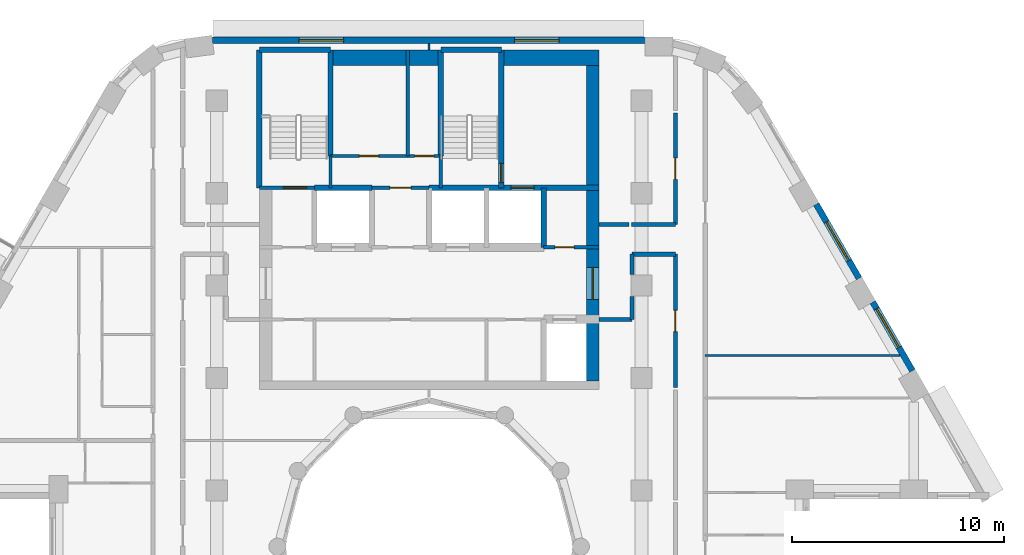
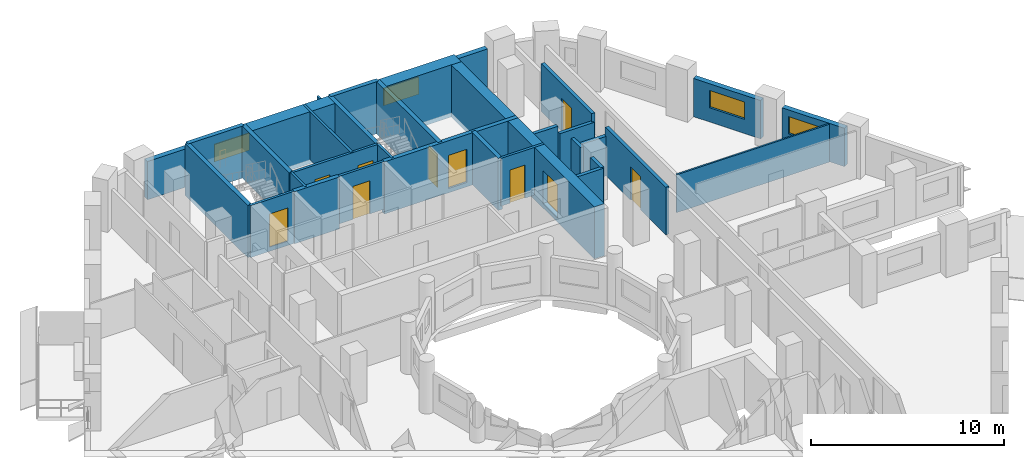
# One storey, part 8 of 13: 32 walls, 10 doors, 4 windows, 14 openings.
"""IFC4 building model written with IfcOpenShell, lengths in metres."""

from ifc_helpers import new_model, si_unit, direction, frame, frame_2d, origin, place, context, subcontext, project, spatial, rectangle, extrude, material, layer, layer_set, type_object, element, fill, save


model = new_model("IFC4")

# Units and contexts
model_context = context("Model", 3, precision=1e-05, world=origin(), true_north=direction((0.0, 1.0)))
body_context = subcontext(model_context, "Body", "Model", "MODEL_VIEW")
ifc_project = project(units=[si_unit("LENGTHUNIT", "METRE"), si_unit("AREAUNIT", "SQUARE_METRE"), si_unit("VOLUMEUNIT", "CUBIC_METRE"), si_unit("PLANEANGLEUNIT", "RADIAN"), si_unit("MASSUNIT", "GRAM", prefix="KILO")], contexts=[model_context])

# Site, building, storey
site_placement = place(None, origin())
site = spatial("IfcSite", under=ifc_project, at=site_placement, CompositionType="ELEMENT")
building_placement = place(site_placement, origin())
building = spatial("IfcBuilding", under=site, at=building_placement, Name="Nakaniwa Court", CompositionType="ELEMENT")
storey_placement = place(building_placement, frame((0.0, 0.0, 153.60009765625)))
storey = spatial("IfcBuildingStorey", under=building, at=storey_placement, Name="L40", CompositionType="ELEMENT", Elevation=153.60009765625)

# Wall, opening, door
ifc_material_1 = material(Name="Acoustic double stud partition")
ifc_layer_1 = layer(ifc_material_1, 0.199951171875)
ifc_layer_set_1 = layer_set([ifc_layer_1], Name="Acoustic double stud partition")
wall_type_1 = type_object("IfcWallType", Name="Acoustic double stud partition 200", PredefinedType="PARTITIONING", material=ifc_layer_set_1)
wall_1_placement = place(storey_placement, frame((91.60009765625, 87.4873046875, 0.0), z_axis=(0.0, 0.0, 1.0), x_axis=(0.0, 1.0, 0.0)))
wall_1 = element("IfcWall", 1, at=wall_1_placement, inside=storey, type_object=wall_type_1, Name="Partition PW-073", PredefinedType="PARTITIONING", context=body_context, shape_type="SweptSolid", body=[
    extrude(rectangle(XDim=6.28759765625, YDim=0.199951171875, at=frame_2d((3.143798828125, 0.0))), origin(), (0.0, 0.0, 1.0), 3.02490234375),
])
opening_1_placement = place(wall_1_placement, frame((2.64501953125, 0.0, 0.0)))
opening_1 = element("IfcOpeningElement", 2, at=opening_1_placement, cuts=wall_1, Name="Opening D-02-11", PredefinedType="OPENING", context=body_context, shape_type="SweptSolid", body=[
    extrude(rectangle(XDim=1.0, YDim=2.10009765625, at=frame_2d((0.5, 1.050048828125))), frame((0.0, 0.10986328125, 0.0), z_axis=(0.0, -1.0, 0.0), x_axis=(1.0, 0.0, 0.0)), (0.0, 0.0, 1.0), 0.219970703125),
])
ifc_material_2 = material(Name="Solid core timber door set, black veneer", Category="wood")
door_type_1 = type_object("IfcDoorType", Name="Internal door 1000", OperationType="NOTDEFINED", PredefinedType="DOOR", material=ifc_material_2)
door_1_placement = place(opening_1_placement, origin())
door_1 = element("IfcDoor", 3, at=door_1_placement, inside=storey, type_object=door_type_1, Name="Door D-02-11 L40-046", OperationType="SINGLE_SWING_LEFT", OverallHeight=2.10009765625, OverallWidth=1.0, PredefinedType="DOOR", context=body_context, shape_type="SweptSolid", body=[
    extrude(rectangle(XDim=1.0, YDim=2.10009765625, at=frame_2d((0.5, 1.050048828125))), frame((0.0, 0.02490234375, 0.0), z_axis=(0.0, -1.0, 0.0), x_axis=(1.0, 0.0, 0.0)), (0.0, 0.0, 1.0), 0.050048828125),
])
fill(opening_1, door_1)

wall_2_placement = place(storey_placement, frame((91.60009765625, 95.175048828125, 0.0), z_axis=(0.0, 0.0, 1.0), x_axis=(0.0, 1.0, 0.0)))
wall_2 = element("IfcWall", 4, at=wall_2_placement, inside=storey, type_object=wall_type_1, Name="Partition PW-074", PredefinedType="PARTITIONING", context=body_context, shape_type="SweptSolid", body=[
    extrude(rectangle(XDim=5.247802734375, YDim=0.199951171875, at=frame_2d((2.6240234375, 0.0))), origin(), (0.0, 0.0, 1.0), 3.02490234375),
])
opening_2_placement = place(wall_2_placement, frame((2.123046875, 0.0, 0.0)))
opening_2 = element("IfcOpeningElement", 5, at=opening_2_placement, cuts=wall_2, Name="Opening D-02-12", PredefinedType="OPENING", context=body_context, shape_type="SweptSolid", body=[
    extrude(rectangle(XDim=1.0, YDim=2.10009765625, at=frame_2d((0.5, 1.050048828125))), frame((0.0, 0.10986328125, 0.0), z_axis=(0.0, -1.0, 0.0), x_axis=(1.0, 0.0, 0.0)), (0.0, 0.0, 1.0), 0.219970703125),
])
door_2_placement = place(opening_2_placement, origin())
door_2 = element("IfcDoor", 6, at=door_2_placement, inside=storey, type_object=door_type_1, Name="Door D-02-12 L40-047", OperationType="SINGLE_SWING_RIGHT", OverallHeight=2.10009765625, OverallWidth=1.0, PredefinedType="DOOR", context=body_context, shape_type="SweptSolid", body=[
    extrude(rectangle(XDim=1.0, YDim=2.10009765625, at=frame_2d((0.5, 1.050048828125))), frame((0.0, 0.02490234375, 0.0), z_axis=(0.0, -1.0, 0.0), x_axis=(1.0, 0.0, 0.0)), (0.0, 0.0, 1.0), 0.050048828125),
])
fill(opening_2, door_2)

# Walls
wall_3_placement = place(storey_placement, frame((89.550048828125, 90.699951171875, 0.0), z_axis=(0.0, 0.0, 1.0), x_axis=(0.0, 1.0, 0.0)))
element("IfcWall", 7, at=wall_3_placement, inside=storey, type_object=wall_type_1, Name="Partition PW-085", PredefinedType="PARTITIONING", context=body_context, shape_type="SweptSolid", body=[
    extrude(rectangle(XDim=1.082763671875, YDim=0.199951171875, at=frame_2d((0.54150390625, 0.0))), origin(), (0.0, 0.0, 1.0), 3.02490234375),
])
wall_4_placement = place(storey_placement, frame((89.550048828125, 92.817138671875, 0.0), z_axis=(0.0, 0.0, 1.0), x_axis=(0.0, 1.0, 0.0)))
element("IfcWall", 8, at=wall_4_placement, inside=storey, type_object=wall_type_1, Name="Partition PW-086", PredefinedType="PARTITIONING", context=body_context, shape_type="SweptSolid", body=[
    extrude(rectangle(XDim=0.957763671875, YDim=0.199951171875, at=frame_2d((0.47900390625, 0.0))), origin(), (0.0, 0.0, 1.0), 3.02490234375),
])
wall_5_placement = place(storey_placement, frame((89.550048828125, 93.77490234375, 0.0), z_axis=(0.0, 0.0, 1.0), x_axis=(1.0, 0.0, 0.0)))
element("IfcWall", 9, at=wall_5_placement, inside=storey, type_object=wall_type_1, Name="Partition PW-090", PredefinedType="PARTITIONING", context=body_context, shape_type="SweptSolid", body=[
    extrude(rectangle(XDim=2.050048828125, YDim=0.199951171875, at=frame_2d((1.02490234375, 0.0))), origin(), (0.0, 0.0, 1.0), 2.5048828125),
])
wall_6_placement = place(storey_placement, frame((88.0, 90.699951171875, 0.0), z_axis=(0.0, 0.0, 1.0), x_axis=(1.0, 0.0, 0.0)))
element("IfcWall", 10, at=wall_6_placement, inside=storey, type_object=wall_type_1, Name="Partition PW-092", PredefinedType="PARTITIONING", context=body_context, shape_type="SweptSolid", body=[
    extrude(rectangle(XDim=1.550048828125, YDim=0.199951171875, at=frame_2d((0.77490234375, 0.0))), origin(), (0.0, 0.0, 1.0), 3.02490234375),
])
wall_7_placement = place(storey_placement, frame((88.0, 95.175048828125, 0.0), z_axis=(0.0, 0.0, 1.0), x_axis=(1.0, 0.0, 0.0)))
element("IfcWall", 11, at=wall_7_placement, inside=storey, type_object=wall_type_1, Name="Partition PW-095", PredefinedType="PARTITIONING", context=body_context, shape_type="SweptSolid", body=[
    extrude(rectangle(XDim=1.4228515625, YDim=0.199951171875, at=frame_2d((0.71142578125, 0.0))), origin(), (0.0, 0.0, 1.0), 3.02490234375),
])
wall_8_placement = place(storey_placement, frame((89.537109375, 95.175048828125, 0.0), z_axis=(0.0, 0.0, 1.0), x_axis=(1.0, 0.0, 0.0)))
element("IfcWall", 12, at=wall_8_placement, inside=storey, type_object=wall_type_1, Name="Partition PW-096", PredefinedType="PARTITIONING", context=body_context, shape_type="SweptSolid", body=[
    extrude(rectangle(XDim=2.06298828125, YDim=0.199951171875, at=frame_2d((1.031494140625, 0.0))), origin(), (0.0, 0.0, 1.0), 2.5048828125),
])

# Wall, opening, window
ifc_material_3 = material(Name="Charcoal ceramic cladding")
ifc_layer_2 = layer(ifc_material_3, 0.02, Name="Ceramic cladding")
ifc_material_4 = material(Name="Ventilated air cavity")
ifc_layer_3 = layer(ifc_material_4, 0.04, ventilated=True, Name="Ventilated cavity")
ifc_material_5 = material(Name="Mineral wool insulation")
ifc_layer_4 = layer(ifc_material_5, 0.1, Name="Insulation")
ifc_material_6 = material(Name="Cement bonded sheathing board")
ifc_layer_5 = layer(ifc_material_6, 0.012, Name="Sheathing")
ifc_material_7 = material(Name="Cold-formed galvanised stud frame with mineral wool infill")
ifc_layer_6 = layer(ifc_material_7, 0.1, Name="Stud frame")
ifc_material_8 = material(Name="Fire-rated gypsum plasterboard lining")
ifc_layer_7 = layer(ifc_material_8, 0.028, Name="Lining")
ifc_layer_set_2 = layer_set([ifc_layer_2, ifc_layer_3, ifc_layer_4, ifc_layer_5, ifc_layer_6, ifc_layer_7], Name="Charcoal ceramic faced external wall system")
wall_type_2 = type_object("IfcWallType", Name="Black ceramic faced external wall 300", PredefinedType="SOLIDWALL", material=ifc_layer_set_2)
wall_9_placement = place(storey_placement, frame((102.759521484375, 88.279052734375, 0.0), z_axis=(0.0, 0.0, 1.0), x_axis=(-0.499933594891, 0.866063739398, 0.0)))
wall_9 = element("IfcWall", 13, at=wall_9_placement, inside=storey, type_object=wall_type_2, Name="L40 external wall 03", PredefinedType="SOLIDWALL", context=body_context, shape_type="SweptSolid", body=[
    extrude(rectangle(XDim=3.73681640625, YDim=0.300048828125, at=frame_2d((1.868408203125, 0.0))), origin(), (0.0, 0.0, 1.0), 2.4248046875),
])
opening_3_placement = place(wall_9_placement, frame((1.271728515625, 0.0, 0.89990234375)))
opening_3 = element("IfcOpeningElement", 14, at=opening_3_placement, cuts=wall_9, Name="Opening W7.04", PredefinedType="OPENING", context=body_context, shape_type="SweptSolid", body=[
    extrude(rectangle(XDim=2.10009765625, YDim=1.10009765625, at=frame_2d((1.050048828125, 0.550048828125))), frame((0.0, 0.159912109375, 0.0), z_axis=(0.0, -1.0, 0.0), x_axis=(1.0, 0.0, 0.0)), (0.0, 0.0, 1.0), 0.320068359375),
])
ifc_material_9 = material(Name="Black anodised aluminium frame with dark low-E laminated double glazing", Category="aluminium")
window_type = type_object("IfcWindowType", Name="Dark glass window 2100x1100 sill 900", PartitioningType="SINGLE_PANEL", PredefinedType="WINDOW", material=ifc_material_9)
window_1_placement = place(opening_3_placement, origin())
window_1 = element("IfcWindow", 15, at=window_1_placement, inside=storey, type_object=window_type, Name="L40 habitable room window 03-1", OverallHeight=1.10009765625, OverallWidth=2.10009765625, PartitioningType="SINGLE_PANEL", PredefinedType="WINDOW", context=body_context, shape_type="SweptSolid", body=[
    extrude(rectangle(XDim=2.10009765625, YDim=1.10009765625, at=frame_2d((1.050048828125, 0.550048828125))), frame((0.0, 0.030029296875, 0.0), z_axis=(0.0, -1.0, 0.0), x_axis=(1.0, 0.0, 0.0)), (0.0, 0.0, 1.0), 0.06005859375),
])
fill(opening_3, window_1)

wall_10_placement = place(storey_placement, frame((100.245361328125, 92.63427734375, 0.0), z_axis=(0.0, 0.0, 1.0), x_axis=(-0.500031546601, 0.86600718958, 0.0)))
wall_10 = element("IfcWall", 16, at=wall_10_placement, inside=storey, type_object=wall_type_2, Name="L40 external wall 04", PredefinedType="SOLIDWALL", context=body_context, shape_type="SweptSolid", body=[
    extrude(rectangle(XDim=4.033935546875, YDim=0.300048828125, at=frame_2d((2.01708984375, 0.0))), origin(), (0.0, 0.0, 1.0), 2.4248046875),
])
opening_4_placement = place(wall_10_placement, frame((0.966796875, 0.0, 0.89990234375)))
opening_4 = element("IfcOpeningElement", 17, at=opening_4_placement, cuts=wall_10, Name="Opening W7.05", PredefinedType="OPENING", context=body_context, shape_type="SweptSolid", body=[
    extrude(rectangle(XDim=2.10009765625, YDim=1.10009765625, at=frame_2d((1.050048828125, 0.550048828125))), frame((0.0, 0.159912109375, 0.0), z_axis=(0.0, -1.0, 0.0), x_axis=(1.0, 0.0, 0.0)), (0.0, 0.0, 1.0), 0.320068359375),
])
window_2_placement = place(opening_4_placement, origin())
window_2 = element("IfcWindow", 18, at=window_2_placement, inside=storey, type_object=window_type, Name="L40 habitable room window 04-0", OverallHeight=1.10009765625, OverallWidth=2.10009765625, PartitioningType="SINGLE_PANEL", PredefinedType="WINDOW", context=body_context, shape_type="SweptSolid", body=[
    extrude(rectangle(XDim=2.10009765625, YDim=1.10009765625, at=frame_2d((1.050048828125, 0.550048828125))), frame((0.0, 0.030029296875, 0.0), z_axis=(0.0, -1.0, 0.0), x_axis=(1.0, 0.0, 0.0)), (0.0, 0.0, 1.0), 0.06005859375),
])
fill(opening_4, window_2)

# Wall, openings, windows
wall_11_placement = place(storey_placement, frame((90.1787109375, 103.85009765625, 0.0), z_axis=(0.0, 0.0, 1.0), x_axis=(-1.0, 0.0, 0.0)))
wall_11 = element("IfcWall", 19, at=wall_11_placement, inside=storey, type_object=wall_type_2, Name="L40 external wall 08", PredefinedType="SOLIDWALL", context=body_context, shape_type="SweptSolid", body=[
    extrude(rectangle(XDim=20.391357421875, YDim=0.300048828125, at=frame_2d((10.19580078125, 0.0))), origin(), (0.0, 0.0, 1.0), 2.4248046875),
])
opening_5_placement = place(wall_11_placement, frame((4.05126953125, 0.0, 0.89990234375)))
opening_5 = element("IfcOpeningElement", 20, at=opening_5_placement, cuts=wall_11, Name="Opening W7.08", PredefinedType="OPENING", context=body_context, shape_type="SweptSolid", body=[
    extrude(rectangle(XDim=2.10009765625, YDim=1.10009765625, at=frame_2d((1.050048828125, 0.550048828125))), frame((0.0, 0.159912109375, 0.0), z_axis=(0.0, -1.0, 0.0), x_axis=(1.0, 0.0, 0.0)), (0.0, 0.0, 1.0), 0.320068359375),
])
opening_6_placement = place(wall_11_placement, frame((14.211669921875, 0.0, 0.89990234375)))
opening_6 = element("IfcOpeningElement", 21, at=opening_6_placement, cuts=wall_11, Name="Opening W7.09", PredefinedType="OPENING", context=body_context, shape_type="SweptSolid", body=[
    extrude(rectangle(XDim=2.10009765625, YDim=1.10009765625, at=frame_2d((1.050048828125, 0.550048828125))), frame((0.0, 0.159912109375, 0.0), z_axis=(0.0, -1.0, 0.0), x_axis=(1.0, 0.0, 0.0)), (0.0, 0.0, 1.0), 0.320068359375),
])
window_3_placement = place(opening_5_placement, origin())
window_3 = element("IfcWindow", 22, at=window_3_placement, inside=storey, type_object=window_type, Name="L40 habitable room window 08-0", OverallHeight=1.10009765625, OverallWidth=2.10009765625, PartitioningType="SINGLE_PANEL", PredefinedType="WINDOW", context=body_context, shape_type="SweptSolid", body=[
    extrude(rectangle(XDim=2.10009765625, YDim=1.10009765625, at=frame_2d((1.050048828125, 0.550048828125))), frame((0.0, 0.030029296875, 0.0), z_axis=(0.0, -1.0, 0.0), x_axis=(1.0, 0.0, 0.0)), (0.0, 0.0, 1.0), 0.06005859375),
])
fill(opening_5, window_3)
window_4_placement = place(opening_6_placement, origin())
window_4 = element("IfcWindow", 23, at=window_4_placement, inside=storey, type_object=window_type, Name="L40 habitable room window 08-1", OverallHeight=1.10009765625, OverallWidth=2.10009765625, PartitioningType="SINGLE_PANEL", PredefinedType="WINDOW", context=body_context, shape_type="SweptSolid", body=[
    extrude(rectangle(XDim=2.10009765625, YDim=1.10009765625, at=frame_2d((1.050048828125, 0.550048828125))), frame((0.0, 0.030029296875, 0.0), z_axis=(0.0, -1.0, 0.0), x_axis=(1.0, 0.0, 0.0)), (0.0, 0.0, 1.0), 0.06005859375),
])
fill(opening_6, window_4)

# Wall, opening, door
ifc_material_10 = material(Name="Blockwork partition", Category="masonry")
ifc_layer_8 = layer(ifc_material_10, 0.14990234375)
ifc_layer_set_3 = layer_set([ifc_layer_8], Name="Blockwork partition")
wall_type_3 = type_object("IfcWallType", Name="Blockwork partition 150", PredefinedType="PARTITIONING", material=ifc_layer_set_3)
wall_12_placement = place(storey_placement, frame((85.39697265625, 94.10009765625, 0.0), z_axis=(0.0, 0.0, 1.0), x_axis=(1.0, 0.0, 0.0)))
wall_12 = element("IfcWall", 24, at=wall_12_placement, inside=storey, type_object=wall_type_3, Name="Partition PW-011", PredefinedType="PARTITIONING", context=body_context, shape_type="SweptSolid", body=[
    extrude(rectangle(XDim=2.60302734375, YDim=0.14990234375, at=frame_2d((1.301513671875, 0.0))), origin(), (0.0, 0.0, 1.0), 3.02490234375),
])
opening_7_placement = place(wall_12_placement, frame((0.528076171875, 0.0, 0.0)))
opening_7 = element("IfcOpeningElement", 25, at=opening_7_placement, cuts=wall_12, Name="Opening D-05-04", PredefinedType="OPENING", context=body_context, shape_type="SweptSolid", body=[
    extrude(rectangle(XDim=0.89990234375, YDim=2.10009765625, at=frame_2d((0.449951171875, 1.050048828125))), frame((0.0, 0.0849609375, 0.0), z_axis=(0.0, -1.0, 0.0), x_axis=(1.0, 0.0, 0.0)), (0.0, 0.0, 1.0), 0.169921875),
])
ifc_material_11 = material(Name="Fire rated steel door set", Category="steel")
door_type_2 = type_object("IfcDoorType", Name="Service room door 900", OperationType="NOTDEFINED", PredefinedType="DOOR", material=ifc_material_11)
door_3_placement = place(opening_7_placement, origin())
door_3 = element("IfcDoor", 26, at=door_3_placement, inside=storey, type_object=door_type_2, Name="Door D-05-04 L40-006", OperationType="SINGLE_SWING_LEFT", OverallHeight=2.10009765625, OverallWidth=0.89990234375, PredefinedType="DOOR", context=body_context, shape_type="SweptSolid", body=[
    extrude(rectangle(XDim=0.89990234375, YDim=2.10009765625, at=frame_2d((0.449951171875, 1.050048828125))), frame((0.0, 0.02490234375, 0.0), z_axis=(0.0, -1.0, 0.0), x_axis=(1.0, 0.0, 0.0)), (0.0, 0.0, 1.0), 0.050048828125),
])
fill(opening_7, door_3)

wall_13_placement = place(storey_placement, frame((77.300048828125, 96.89990234375, 0.0), z_axis=(0.0, 0.0, 1.0), x_axis=(1.0, 0.0, 0.0)))
wall_13 = element("IfcWall", 27, at=wall_13_placement, inside=storey, type_object=wall_type_3, Name="Partition PW-020", PredefinedType="PARTITIONING", context=body_context, shape_type="SweptSolid", body=[
    extrude(rectangle(XDim=2.699951171875, YDim=0.14990234375, at=frame_2d((1.35009765625, 0.0))), origin(), (0.0, 0.0, 1.0), 3.02490234375),
])
opening_8_placement = place(wall_13_placement, frame((0.85009765625, 0.0, 0.0)))
opening_8 = element("IfcOpeningElement", 28, at=opening_8_placement, cuts=wall_13, Name="Opening D-23-01", PredefinedType="OPENING", context=body_context, shape_type="SweptSolid", body=[
    extrude(rectangle(XDim=1.0, YDim=2.10009765625, at=frame_2d((0.5, 1.050048828125))), frame((0.0, 0.0849609375, 0.0), z_axis=(0.0, -1.0, 0.0), x_axis=(1.0, 0.0, 0.0)), (0.0, 0.0, 1.0), 0.169921875),
])
door_type_3 = type_object("IfcDoorType", Name="Service room door 1000", OperationType="NOTDEFINED", PredefinedType="DOOR", material=ifc_material_11)
door_4_placement = place(opening_8_placement, origin())
door_4 = element("IfcDoor", 29, at=door_4_placement, inside=storey, type_object=door_type_3, Name="Door D-23-01 L40-007", OperationType="SINGLE_SWING_RIGHT", OverallHeight=2.10009765625, OverallWidth=1.0, PredefinedType="DOOR", context=body_context, shape_type="SweptSolid", body=[
    extrude(rectangle(XDim=1.0, YDim=2.10009765625, at=frame_2d((0.5, 1.050048828125))), frame((0.0, 0.02490234375, 0.0), z_axis=(0.0, -1.0, 0.0), x_axis=(1.0, 0.0, 0.0)), (0.0, 0.0, 1.0), 0.050048828125),
])
fill(opening_8, door_4)

# Wall, openings, doors
wall_14_placement = place(storey_placement, frame((75.35009765625, 98.39990234375, 0.0), z_axis=(0.0, 0.0, 1.0), x_axis=(1.0, 0.0, 0.0)))
wall_14 = element("IfcWall", 30, at=wall_14_placement, inside=storey, type_object=wall_type_3, Name="Partition PW-032", PredefinedType="PARTITIONING", context=body_context, shape_type="SweptSolid", body=[
    extrude(rectangle(XDim=5.199951171875, YDim=0.14990234375, at=frame_2d((2.60009765625, 0.0))), origin(), (0.0, 0.0, 1.0), 3.02490234375),
])
opening_9_placement = place(wall_14_placement, frame((1.3701171875, 0.0, 0.0)))
opening_9 = element("IfcOpeningElement", 31, at=opening_9_placement, cuts=wall_14, Name="Opening D-05-05", PredefinedType="OPENING", context=body_context, shape_type="SweptSolid", body=[
    extrude(rectangle(XDim=0.89990234375, YDim=2.10009765625, at=frame_2d((0.449951171875, 1.050048828125))), frame((0.0, 0.0849609375, 0.0), z_axis=(0.0, -1.0, 0.0), x_axis=(1.0, 0.0, 0.0)), (0.0, 0.0, 1.0), 0.169921875),
])
opening_10_placement = place(wall_14_placement, frame((3.969970703125, 0.0, 0.0)))
opening_10 = element("IfcOpeningElement", 32, at=opening_10_placement, cuts=wall_14, Name="Opening D-05-06", PredefinedType="OPENING", context=body_context, shape_type="SweptSolid", body=[
    extrude(rectangle(XDim=0.89990234375, YDim=2.10009765625, at=frame_2d((0.449951171875, 1.050048828125))), frame((0.0, 0.0849609375, 0.0), z_axis=(0.0, -1.0, 0.0), x_axis=(1.0, 0.0, 0.0)), (0.0, 0.0, 1.0), 0.169921875),
])
door_5_placement = place(opening_9_placement, origin())
door_5 = element("IfcDoor", 33, at=door_5_placement, inside=storey, type_object=door_type_2, Name="Door D-05-05 L40-008", OperationType="SINGLE_SWING_LEFT", OverallHeight=2.10009765625, OverallWidth=0.89990234375, PredefinedType="DOOR", context=body_context, shape_type="SweptSolid", body=[
    extrude(rectangle(XDim=0.89990234375, YDim=2.10009765625, at=frame_2d((0.449951171875, 1.050048828125))), frame((0.0, 0.02490234375, 0.0), z_axis=(0.0, -1.0, 0.0), x_axis=(1.0, 0.0, 0.0)), (0.0, 0.0, 1.0), 0.050048828125),
])
fill(opening_9, door_5)
door_6_placement = place(opening_10_placement, origin())
door_6 = element("IfcDoor", 34, at=door_6_placement, inside=storey, type_object=door_type_2, Name="Door D-05-06 L40-009", OperationType="SINGLE_SWING_RIGHT", OverallHeight=2.10009765625, OverallWidth=0.89990234375, PredefinedType="DOOR", context=body_context, shape_type="SweptSolid", body=[
    extrude(rectangle(XDim=0.89990234375, YDim=2.10009765625, at=frame_2d((0.449951171875, 1.050048828125))), frame((0.0, 0.02490234375, 0.0), z_axis=(0.0, -1.0, 0.0), x_axis=(1.0, 0.0, 0.0)), (0.0, 0.0, 1.0), 0.050048828125),
])
fill(opening_10, door_6)

# Wall
wall_15_placement = place(storey_placement, frame((78.989990234375, 98.39990234375, 0.0), z_axis=(0.0, 0.0, 1.0), x_axis=(0.0, 1.0, 0.0)))
element("IfcWall", 35, at=wall_15_placement, inside=storey, type_object=wall_type_3, Name="Partition PW-033", PredefinedType="PARTITIONING", context=body_context, shape_type="SweptSolid", body=[
    extrude(rectangle(XDim=5.0, YDim=0.14990234375, at=frame_2d((2.5, 0.0))), origin(), (0.0, 0.0, 1.0), 3.02490234375),
])

# Wall, opening, door
ifc_material_12 = material(Name="Concrete C80/100", Category="concrete")
ifc_layer_9 = layer(ifc_material_12, 0.60009765625)
ifc_layer_set_4 = layer_set([ifc_layer_9], Name="Concrete C80/100")
wall_type_4 = type_object("IfcWallType", Name="Concrete core side wall 600 C80", PredefinedType="SHEAR", material=ifc_layer_set_4)
wall_16_placement = place(storey_placement, frame((87.699951171875, 103.39990234375, -0.275146484375), z_axis=(0.0, 0.0, 1.0), x_axis=(0.0, -1.0, 0.0)))
wall_16 = element("IfcWall", 36, at=wall_16_placement, inside=storey, type_object=wall_type_4, Name="Core wall SW-07", PredefinedType="SHEAR", context=body_context, shape_type="SweptSolid", body=[
    extrude(rectangle(XDim=15.599853515625, YDim=0.60009765625, at=frame_2d((7.7998046875, 0.0))), origin(), (0.0, 0.0, 1.0), 3.300048828125),
])
opening_11_placement = place(wall_16_placement, frame((10.248046875, 0.0, 0.27490234375)))
opening_11 = element("IfcOpeningElement", 37, at=opening_11_placement, cuts=wall_16, Name="Opening D-07-01", PredefinedType="OPENING", context=body_context, shape_type="SweptSolid", body=[
    extrude(rectangle(XDim=1.5, YDim=2.10009765625, at=frame_2d((0.75, 1.050048828125))), frame((0.0, 0.31005859375, 0.0), z_axis=(0.0, -1.0, 0.0), x_axis=(1.0, 0.0, 0.0)), (0.0, 0.0, 1.0), 0.6201171875),
])
ifc_material_13 = material(Name="Glazed fire rated steel double door set", Category="steel")
door_type_4 = type_object("IfcDoorType", Name="Lobby double door 1500", OperationType="NOTDEFINED", PredefinedType="DOOR", material=ifc_material_13)
door_7_placement = place(opening_11_placement, origin())
door_7 = element("IfcDoor", 38, at=door_7_placement, inside=storey, type_object=door_type_4, Name="Door D-07-01 L40-049", OperationType="DOUBLE_DOOR_SINGLE_SWING", OverallHeight=2.10009765625, OverallWidth=1.5, PredefinedType="DOOR", context=body_context, shape_type="SweptSolid", body=[
    extrude(rectangle(XDim=1.5, YDim=2.10009765625, at=frame_2d((0.75, 1.050048828125))), frame((0.0, 0.02490234375, 0.0), z_axis=(0.0, -1.0, 0.0), x_axis=(1.0, 0.0, 0.0)), (0.0, 0.0, 1.0), 0.050048828125),
])
fill(opening_11, door_7)

ifc_layer_10 = layer(ifc_material_12, 0.14990234375)
ifc_layer_set_5 = layer_set([ifc_layer_10], Name="Concrete C80/100")
wall_type_5 = type_object("IfcWallType", Name="Concrete core wall 150 C80", PredefinedType="SHEAR", material=ifc_layer_set_5)
wall_17_placement = place(storey_placement, frame((74.60009765625, 96.89990234375, -0.275146484375), z_axis=(0.0, 0.0, 1.0), x_axis=(-1.0, 0.0, 0.0)))
wall_17 = element("IfcWall", 39, at=wall_17_placement, inside=storey, type_object=wall_type_5, Name="Core wall SW-15", PredefinedType="SHEAR", context=body_context, shape_type="SweptSolid", body=[
    extrude(rectangle(XDim=2.60009765625, YDim=0.14990234375, at=frame_2d((1.300048828125, 0.0))), origin(), (0.0, 0.0, 1.0), 3.300048828125),
])
opening_12_placement = place(wall_17_placement, frame((0.3701171875, 0.0, 0.27490234375)))
opening_12 = element("IfcOpeningElement", 40, at=opening_12_placement, cuts=wall_17, Name="Opening D-09-01", PredefinedType="OPENING", context=body_context, shape_type="SweptSolid", body=[
    extrude(rectangle(XDim=1.10009765625, YDim=2.10009765625, at=frame_2d((0.550048828125, 1.050048828125))), frame((0.0, 0.0849609375, 0.0), z_axis=(0.0, -1.0, 0.0), x_axis=(1.0, 0.0, 0.0)), (0.0, 0.0, 1.0), 0.169921875),
])
door_type_5 = type_object("IfcDoorType", Name="Stair door 1100", OperationType="NOTDEFINED", PredefinedType="DOOR", material=ifc_material_11)
door_8_placement = place(opening_12_placement, origin())
door_8 = element("IfcDoor", 41, at=door_8_placement, inside=storey, type_object=door_type_5, Name="Door D-09-01 L40-010", OperationType="SINGLE_SWING_RIGHT", OverallHeight=2.10009765625, OverallWidth=1.10009765625, PredefinedType="DOOR", context=body_context, shape_type="SweptSolid", body=[
    extrude(rectangle(XDim=1.10009765625, YDim=2.10009765625, at=frame_2d((0.550048828125, 1.050048828125))), frame((0.0, 0.02490234375, 0.0), z_axis=(0.0, -1.0, 0.0), x_axis=(1.0, 0.0, 0.0)), (0.0, 0.0, 1.0), 0.050048828125),
])
fill(opening_12, door_8)

# Walls
for number, where, z_axis, x_axis, name in (
    (42, (75.35009765625, 96.89990234375, -0.275146484375), (0.0, 0.0, 1.0), (0.0, 1.0, 0.0), "Core wall SW-22"),
    (43, (80.550048828125, 96.89990234375, -0.275146484375), (0.0, 0.0, 1.0), (0.0, 1.0, 0.0), "Core wall SW-28"),
):
    element("IfcWall", number, at=place(storey_placement, frame(where, z_axis=z_axis, x_axis=x_axis)), inside=storey, type_object=wall_type_5, Name=name, PredefinedType="SHEAR", context=body_context, shape_type="SweptSolid", body=[
        extrude(rectangle(XDim=1.503173828125, YDim=0.14990234375, at=frame_2d((0.75146484375, 0.0))), origin(), (0.0, 0.0, 1.0), 3.300048828125),
    ])
ifc_layer_11 = layer(ifc_material_12, 0.25)
ifc_layer_set_6 = layer_set([ifc_layer_11], Name="Concrete C80/100")
wall_type_6 = type_object("IfcWallType", Name="Concrete core wall 250 C80", PredefinedType="SHEAR", material=ifc_layer_set_6)
wall_18_placement = place(storey_placement, frame((72.0, 103.39990234375, -0.275146484375), z_axis=(0.0, 0.0, 1.0), x_axis=(1.0, 0.0, 0.0)))
element("IfcWall", 44, at=wall_18_placement, inside=storey, type_object=wall_type_6, Name="Core wall SW-24", PredefinedType="SHEAR", context=body_context, shape_type="SweptSolid", body=[
    extrude(rectangle(XDim=3.35009765625, YDim=0.25, at=frame_2d((1.675048828125, 0.0))), origin(), (0.0, 0.0, 1.0), 3.300048828125),
])
wall_19_placement = place(storey_placement, frame((80.550048828125, 103.39990234375, -0.275146484375), z_axis=(0.0, 0.0, 1.0), x_axis=(1.0, 0.0, 0.0)))
element("IfcWall", 45, at=wall_19_placement, inside=storey, type_object=wall_type_6, Name="Core wall SW-25", PredefinedType="SHEAR", context=body_context, shape_type="SweptSolid", body=[
    extrude(rectangle(XDim=2.849853515625, YDim=0.25, at=frame_2d((1.4248046875, 0.0))), origin(), (0.0, 0.0, 1.0), 3.300048828125),
])
wall_20_placement = place(storey_placement, frame((72.0, 96.89990234375, -0.275146484375), z_axis=(0.0, 0.0, 1.0), x_axis=(0.0, 1.0, 0.0)))
element("IfcWall", 46, at=wall_20_placement, inside=storey, type_object=wall_type_6, Name="Core wall SW-26", PredefinedType="SHEAR", context=body_context, shape_type="SweptSolid", body=[
    extrude(rectangle(XDim=6.5, YDim=0.25, at=frame_2d((3.25, 0.0))), origin(), (0.0, 0.0, 1.0), 3.300048828125),
])
ifc_layer_12 = layer(ifc_material_12, 0.75)
ifc_layer_set_7 = layer_set([ifc_layer_12], Name="Concrete C80/100")
wall_type_7 = type_object("IfcWallType", Name="Concrete core wall 750 C80", PredefinedType="SHEAR", material=ifc_layer_set_7)
wall_21_placement = place(storey_placement, frame((75.35009765625, 103.02490234375, -0.275146484375), z_axis=(0.0, 0.0, 1.0), x_axis=(1.0, 0.0, 0.0)))
element("IfcWall", 47, at=wall_21_placement, inside=storey, type_object=wall_type_7, Name="Core wall SW-30", PredefinedType="SHEAR", context=body_context, shape_type="SweptSolid", body=[
    extrude(rectangle(XDim=5.199951171875, YDim=0.75, at=frame_2d((2.60009765625, 0.0))), origin(), (0.0, 0.0, 1.0), 3.300048828125),
])
wall_22_placement = place(storey_placement, frame((83.39990234375, 103.02490234375, -0.275146484375), z_axis=(0.0, 0.0, 1.0), x_axis=(1.0, 0.0, 0.0)))
element("IfcWall", 48, at=wall_22_placement, inside=storey, type_object=wall_type_7, Name="Core wall SW-31", PredefinedType="SHEAR", context=body_context, shape_type="SweptSolid", body=[
    extrude(rectangle(XDim=4.60009765625, YDim=0.75, at=frame_2d((2.300048828125, 0.0))), origin(), (0.0, 0.0, 1.0), 3.300048828125),
])
ifc_layer_13 = layer(ifc_material_12, 0.25)
ifc_layer_set_8 = layer_set([ifc_layer_13], Name="Concrete C80/100")
wall_type_8 = type_object("IfcWallType", Name="Concrete shaft wall 250 C80", PredefinedType="SHEAR", material=ifc_layer_set_8)
wall_23_placement = place(storey_placement, frame((85.39990234375, 94.10009765625, -0.275146484375), z_axis=(0.0, 0.0, 1.0), x_axis=(0.0, 1.0, 0.0)))
element("IfcWall", 49, at=wall_23_placement, inside=storey, type_object=wall_type_8, Name="Core wall SW-05", PredefinedType="SHEAR", context=body_context, shape_type="SweptSolid", body=[
    extrude(rectangle(XDim=2.7998046875, YDim=0.25, at=frame_2d((1.39990234375, 0.0))), origin(), (0.0, 0.0, 1.0), 3.300048828125),
])
wall_24_placement = place(storey_placement, frame((74.60009765625, 96.89990234375, -0.275146484375), z_axis=(0.0, 0.0, 1.0), x_axis=(1.0, 0.0, 0.0)))
element("IfcWall", 50, at=wall_24_placement, inside=storey, type_object=wall_type_8, Name="Core wall SW-17", PredefinedType="SHEAR", context=body_context, shape_type="SweptSolid", body=[
    extrude(rectangle(XDim=2.699951171875, YDim=0.25, at=frame_2d((1.35009765625, 0.0))), origin(), (0.0, 0.0, 1.0), 3.300048828125),
])

# Wall, opening, door
wall_25_placement = place(storey_placement, frame((80.0, 96.89990234375, -0.275146484375), z_axis=(0.0, 0.0, 1.0), x_axis=(1.0, 0.0, 0.0)))
wall_25 = element("IfcWall", 51, at=wall_25_placement, inside=storey, type_object=wall_type_8, Name="Core wall SW-18", PredefinedType="SHEAR", context=body_context, shape_type="SweptSolid", body=[
    extrude(rectangle(XDim=8.0, YDim=0.25, at=frame_2d((4.0, 0.0))), origin(), (0.0, 0.0, 1.0), 3.300048828125),
])
opening_13_placement = place(wall_25_placement, frame((3.84912109375, 0.0, 0.27490234375)))
opening_13 = element("IfcOpeningElement", 52, at=opening_13_placement, cuts=wall_25, Name="Opening LD04", PredefinedType="OPENING", context=body_context, shape_type="SweptSolid", body=[
    extrude(rectangle(XDim=1.10009765625, YDim=2.10009765625, at=frame_2d((0.550048828125, 1.050048828125))), frame((0.0, 0.135009765625, 0.0), z_axis=(0.0, -1.0, 0.0), x_axis=(1.0, 0.0, 0.0)), (0.0, 0.0, 1.0), 0.27001953125),
])
ifc_material_14 = material(Name="Stainless steel sliding lift landing door", Category="steel")
door_type_6 = type_object("IfcDoorType", Name="Lift landing door 1100", OperationType="NOTDEFINED", PredefinedType="DOOR", material=ifc_material_14)
door_9_placement = place(opening_13_placement, origin())
door_9 = element("IfcDoor", 53, at=door_9_placement, inside=storey, type_object=door_type_6, Name="Lift landing door LD04 L40-004", OperationType="SLIDING_TO_LEFT", OverallHeight=2.10009765625, OverallWidth=1.10009765625, PredefinedType="DOOR", context=body_context, shape_type="SweptSolid", body=[
    extrude(rectangle(XDim=1.10009765625, YDim=2.10009765625, at=frame_2d((0.550048828125, 1.050048828125))), frame((0.0, 0.02490234375, 0.0), z_axis=(0.0, -1.0, 0.0), x_axis=(1.0, 0.0, 0.0)), (0.0, 0.0, 1.0), 0.050048828125),
])
fill(opening_13, door_9)

# Wall
wall_26_placement = place(storey_placement, frame((75.35009765625, 98.39697265625, -0.275146484375), z_axis=(0.0, 0.0, 1.0), x_axis=(0.0, 1.0, 0.0)))
element("IfcWall", 54, at=wall_26_placement, inside=storey, type_object=wall_type_8, Name="Core wall SW-23", PredefinedType="SHEAR", context=body_context, shape_type="SweptSolid", body=[
    extrude(rectangle(XDim=5.0029296875, YDim=0.25, at=frame_2d((2.50146484375, 0.0))), origin(), (0.0, 0.0, 1.0), 3.300048828125),
])

# Wall, opening, door
wall_27_placement = place(storey_placement, frame((83.39990234375, 103.39990234375, -0.275146484375), z_axis=(0.0, 0.0, 1.0), x_axis=(0.0, -1.0, 0.0)))
wall_27 = element("IfcWall", 55, at=wall_27_placement, inside=storey, type_object=wall_type_8, Name="Core wall SW-27", PredefinedType="SHEAR", context=body_context, shape_type="SweptSolid", body=[
    extrude(rectangle(XDim=6.5, YDim=0.25, at=frame_2d((3.25, 0.0))), origin(), (0.0, 0.0, 1.0), 3.300048828125),
])
opening_14_placement = place(wall_27_placement, frame((5.35009765625, 0.0, 0.27490234375)))
opening_14 = element("IfcOpeningElement", 56, at=opening_14_placement, cuts=wall_27, Name="Opening D-11-01", PredefinedType="OPENING", context=body_context, shape_type="SweptSolid", body=[
    extrude(rectangle(XDim=0.89990234375, YDim=2.10009765625, at=frame_2d((0.449951171875, 1.050048828125))), frame((0.0, 0.135009765625, 0.0), z_axis=(0.0, -1.0, 0.0), x_axis=(1.0, 0.0, 0.0)), (0.0, 0.0, 1.0), 0.27001953125),
])
door_type_7 = type_object("IfcDoorType", Name="Stair door 900", OperationType="NOTDEFINED", PredefinedType="DOOR", material=ifc_material_11)
door_10_placement = place(opening_14_placement, origin())
door_10 = element("IfcDoor", 57, at=door_10_placement, inside=storey, type_object=door_type_7, Name="Door D-11-01 L40-011", OperationType="SINGLE_SWING_LEFT", OverallHeight=2.10009765625, OverallWidth=0.89990234375, PredefinedType="DOOR", context=body_context, shape_type="SweptSolid", body=[
    extrude(rectangle(XDim=0.89990234375, YDim=2.10009765625, at=frame_2d((0.449951171875, 1.050048828125))), frame((0.0, 0.02490234375, 0.0), z_axis=(0.0, -1.0, 0.0), x_axis=(1.0, 0.0, 0.0)), (0.0, 0.0, 1.0), 0.050048828125),
])
fill(opening_14, door_10)

# Walls
wall_28_placement = place(storey_placement, frame((80.550048828125, 98.39697265625, -0.275146484375), z_axis=(0.0, 0.0, 1.0), x_axis=(0.0, 1.0, 0.0)))
element("IfcWall", 58, at=wall_28_placement, inside=storey, type_object=wall_type_8, Name="Core wall SW-29", PredefinedType="SHEAR", context=body_context, shape_type="SweptSolid", body=[
    extrude(rectangle(XDim=5.0029296875, YDim=0.25, at=frame_2d((2.50146484375, 0.0))), origin(), (0.0, 0.0, 1.0), 3.300048828125),
])
ifc_material_15 = material(Name="Single stud plasterboard partition")
ifc_layer_14 = layer(ifc_material_15, 0.10009765625)
ifc_layer_set_9 = layer_set([ifc_layer_14], Name="Single stud plasterboard partition")
wall_type_9 = type_object("IfcWallType", Name="Single stud plasterboard partition 100", PredefinedType="PARTITIONING", material=ifc_layer_set_9)
wall_29_placement = place(storey_placement, frame((80.0, 103.39990234375, 0.0), z_axis=(0.0, 0.0, 1.0), x_axis=(0.0, 1.0, 0.0)))
element("IfcWall", 59, at=wall_29_placement, inside=storey, type_object=wall_type_9, Name="Partition PW-114", PredefinedType="PARTITIONING", context=body_context, shape_type="SweptSolid", body=[
    extrude(rectangle(XDim=0.300048828125, YDim=0.10009765625, at=frame_2d((0.14990234375, 0.0))), origin(), (0.0, 0.0, 1.0), 3.02490234375),
])
wall_30_placement = place(storey_placement, frame((93.0009765625, 89.0, 0.0), z_axis=(0.0, 0.0, 1.0), x_axis=(1.0, 0.0, 0.0)))
element("IfcWall", 60, at=wall_30_placement, inside=storey, type_object=wall_type_9, Name="Partition PW-120", PredefinedType="PARTITIONING", context=body_context, shape_type="SweptSolid", body=[
    extrude(rectangle(XDim=9.169189453125, YDim=0.10009765625, at=frame_2d((4.58447265625, 0.0))), origin(), (0.0, 0.0, 1.0), 2.40478515625),
])

save(model, "model.ifc")
